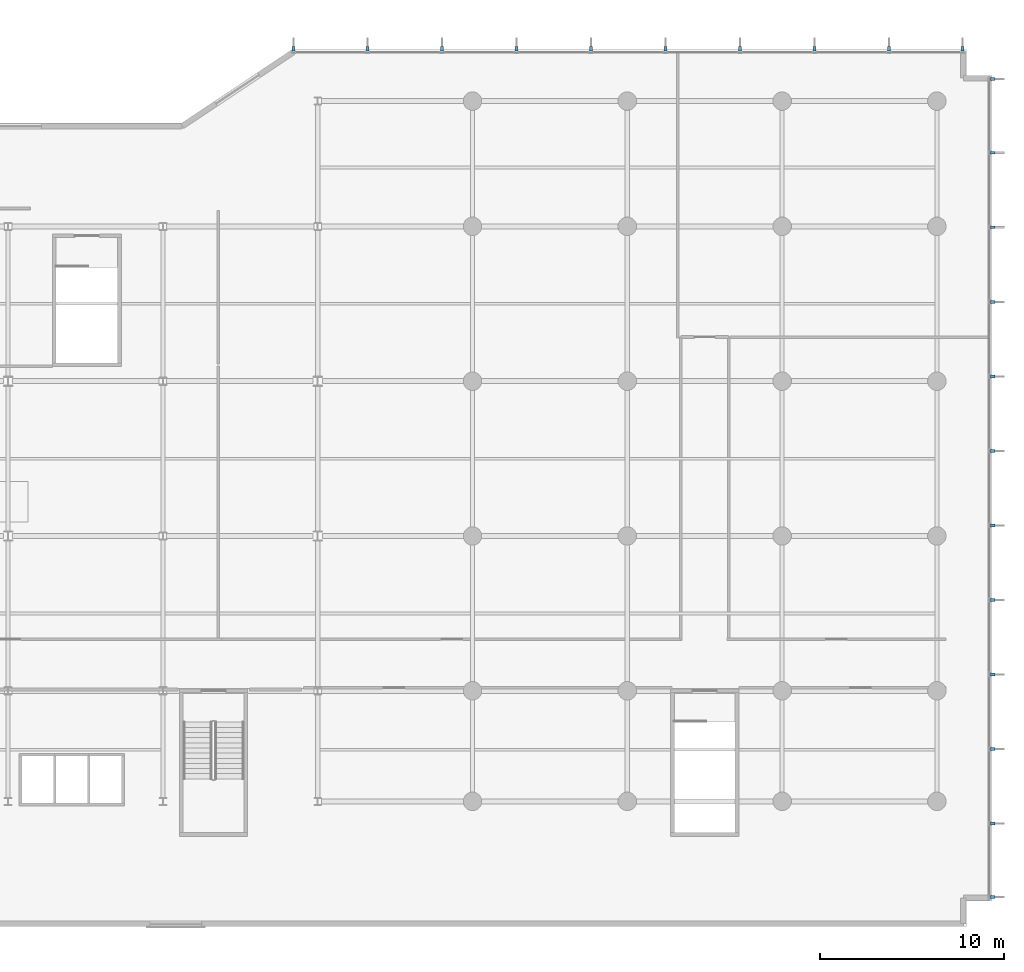
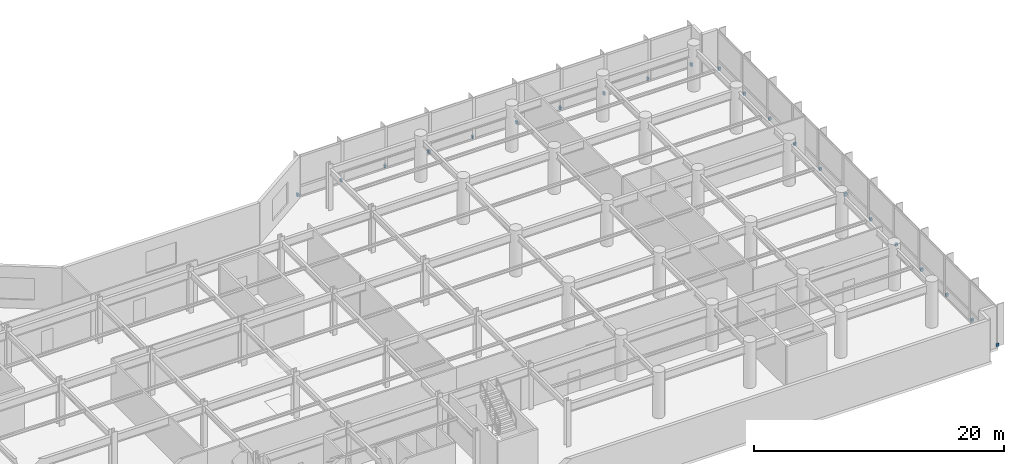
# One storey, part 19 of 23: 22 discrete accessories.
"""IFC4 building model written with IfcOpenShell, lengths in metres."""

from ifc_helpers import new_model, si_unit, direction, frame, origin, origin_2d, place, context, subcontext, project, spatial, rectangle, extrude, material, type_object, element, save


model = new_model("IFC4")

# Units and contexts
model_context = context("Model", 3, precision=1e-05, world=origin(), true_north=direction((0.0, 1.0)))
body_context = subcontext(model_context, "Body", "Model", "MODEL_VIEW")
ifc_project = project(units=[si_unit("LENGTHUNIT", "METRE"), si_unit("AREAUNIT", "SQUARE_METRE"), si_unit("VOLUMEUNIT", "CUBIC_METRE"), si_unit("PLANEANGLEUNIT", "RADIAN"), si_unit("MASSUNIT", "GRAM", prefix="KILO")], contexts=[model_context])

# Site, building, storey
site_placement = place(None, origin())
site = spatial("IfcSite", under=ifc_project, at=site_placement, CompositionType="ELEMENT")
building_placement = place(site_placement, origin())
building = spatial("IfcBuilding", under=site, at=building_placement, Name="Varnakote Quay Hospital", CompositionType="ELEMENT")
storey_placement = place(building_placement, frame((0.0, 0.0, 18.0)))
storey = spatial("IfcBuildingStorey", under=building, at=storey_placement, Name="L04", CompositionType="ELEMENT", Elevation=18.0)

# Discrete accessories
ifc_material = material(Name="Anodised aluminium 6063-T6 Bronze", Category="aluminium")
discrete_accessory_type = type_object("IfcDiscreteAccessoryType", Name="ACC-FIN-BRACKET-180", PredefinedType="BRACKET", material=ifc_material)
for number, where, z_axis, x_axis, name in (
    (1, (87.030029296875, 0.802490234375, 0.0), (0.0, 0.0, 1.0), (0.0, 1.0, 0.0), "L04 Curtain Wall Fin Fixing Bracket"),
    (2, (87.030029296875, 4.8037109375, 0.0), (0.0, 0.0, 1.0), (0.0, 1.0, 0.0), "L04 Curtain Wall Fin Fixing Bracket"),
    (3, (87.030029296875, 8.847412109375, 0.0), (0.0, 0.0, 1.0), (0.0, 1.0, 0.0), "L04 Curtain Wall Fin Fixing Bracket"),
    (4, (87.030029296875, 12.890869140625, 0.0), (0.0, 0.0, 1.0), (0.0, 1.0, 0.0), "L04 Curtain Wall Fin Fixing Bracket"),
    (5, (87.030029296875, 16.9345703125, 0.0), (0.0, 0.0, 1.0), (0.0, 1.0, 0.0), "L04 Curtain Wall Fin Fixing Bracket"),
    (6, (87.030029296875, 20.978271484375, 0.0), (0.0, 0.0, 1.0), (0.0, 1.0, 0.0), "L04 Curtain Wall Fin Fixing Bracket"),
    (7, (87.030029296875, 25.021728515625, 0.0), (0.0, 0.0, 1.0), (0.0, 1.0, 0.0), "L04 Curtain Wall Fin Fixing Bracket"),
    (8, (87.030029296875, 29.0654296875, 0.0), (0.0, 0.0, 1.0), (0.0, 1.0, 0.0), "L04 Curtain Wall Fin Fixing Bracket"),
    (9, (87.030029296875, 33.109130859375, 0.0), (0.0, 0.0, 1.0), (0.0, 1.0, 0.0), "L04 Curtain Wall Fin Fixing Bracket"),
    (10, (87.030029296875, 37.152587890625, 0.0), (0.0, 0.0, 1.0), (0.0, 1.0, 0.0), "L04 Curtain Wall Fin Fixing Bracket"),
    (11, (87.030029296875, 41.1962890625, 0.0), (0.0, 0.0, 1.0), (0.0, 1.0, 0.0), "L04 Curtain Wall Fin Fixing Bracket"),
    (12, (87.030029296875, 45.197509765625, 0.0), (0.0, 0.0, 1.0), (0.0, 1.0, 0.0), "L04 Curtain Wall Fin Fixing Bracket"),
    (13, (85.3974609375, 46.830078125, 0.0), (0.0, 0.0, 1.0), (-1.0, 0.0, 0.0), "L04 Curtain Wall Fin Fixing Bracket"),
    (14, (81.396484375, 46.830078125, 0.0), (0.0, 0.0, 1.0), (-1.0, 0.0, 0.0), "L04 Curtain Wall Fin Fixing Bracket"),
    (15, (77.35302734375, 46.830078125, 0.0), (0.0, 0.0, 1.0), (-1.0, 0.0, 0.0), "L04 Curtain Wall Fin Fixing Bracket"),
    (16, (73.3095703125, 46.830078125, 0.0), (0.0, 0.0, 1.0), (-1.0, 0.0, 0.0), "L04 Curtain Wall Fin Fixing Bracket"),
    (17, (69.26611328125, 46.830078125, 0.0), (0.0, 0.0, 1.0), (-1.0, 0.0, 0.0), "L04 Curtain Wall Fin Fixing Bracket"),
    (18, (65.222412109375, 46.830078125, 0.0), (0.0, 0.0, 1.0), (-1.0, 0.0, 0.0), "L04 Curtain Wall Fin Fixing Bracket"),
    (19, (61.178955078125, 46.830078125, 0.0), (0.0, 0.0, 1.0), (-1.0, 0.0, 0.0), "L04 Curtain Wall Fin Fixing Bracket"),
    (20, (57.135498046875, 46.830078125, 0.0), (0.0, 0.0, 1.0), (-1.0, 0.0, 0.0), "L04 Curtain Wall Fin Fixing Bracket"),
    (21, (53.091796875, 46.830078125, 0.0), (0.0, 0.0, 1.0), (-1.0, 0.0, 0.0), "L04 Curtain Wall Fin Fixing Bracket"),
    (22, (49.0908203125, 46.830078125, 0.0), (0.0, 0.0, 1.0), (-1.0, 0.0, 0.0), "L04 Curtain Wall Fin Fixing Bracket"),
):
    element("IfcDiscreteAccessory", number, at=place(storey_placement, frame(where, z_axis=z_axis, x_axis=x_axis)), inside=storey, type_object=discrete_accessory_type, Name=name, PredefinedType="BRACKET", context=body_context, shape_type="SweptSolid", body=[
        extrude(rectangle(XDim=0.159912109375, YDim=0.239990234375, at=origin_2d()), origin(), (0.0, 0.0, 1.0), 0.280029296875),
    ])

save(model, "model.ifc")
